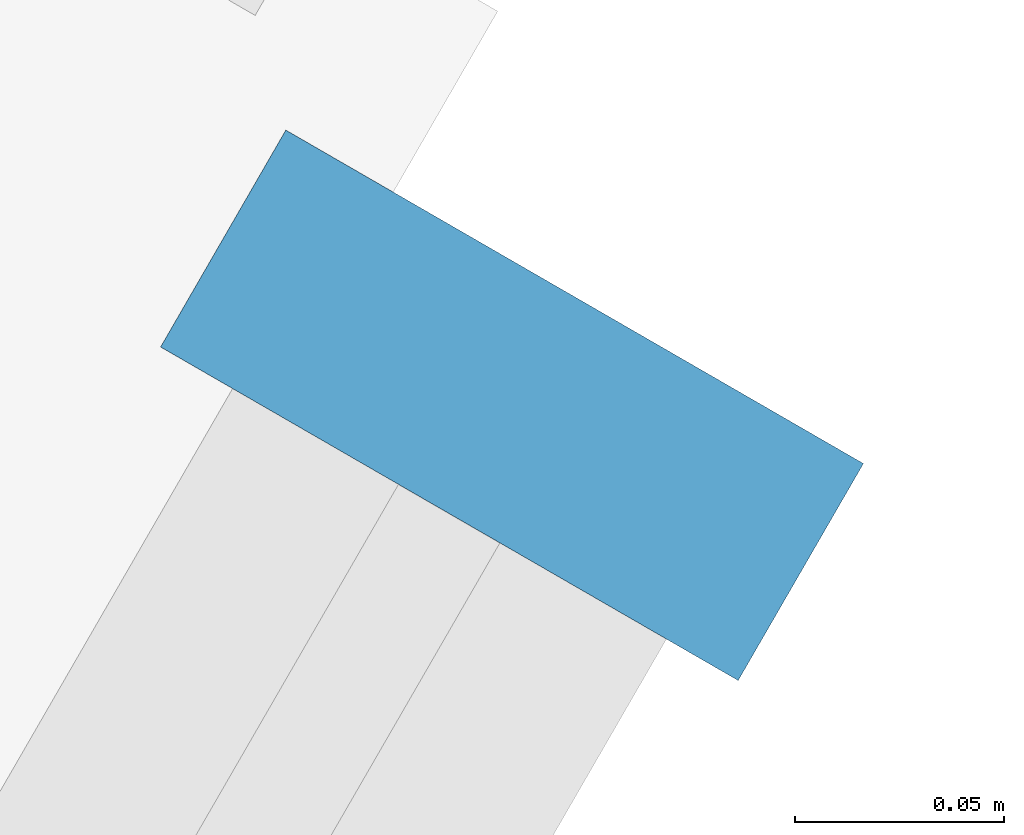
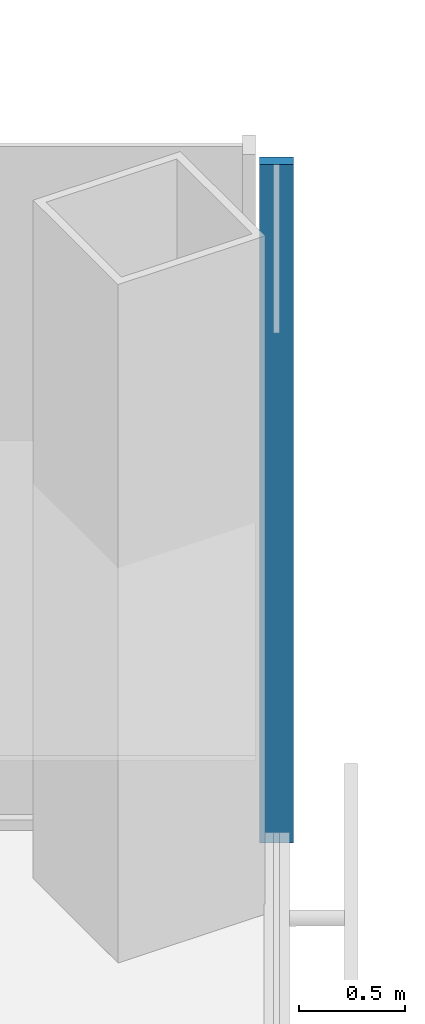
# One storey, part 9 of 18: 1 member, 1 element without a shape of its own.
"""IFC4 building model written with IfcOpenShell, lengths in metres."""

from ifc_helpers import new_model, si_unit, direction, frame, origin, origin_2d, place, context, subcontext, project, spatial, rectangle, extrude, material, material_profile, profile_set, type_object, element, aggregate, save


model = new_model("IFC4")

# Units and contexts
model_context = context("Model", 3, precision=1e-05, world=origin(), true_north=direction((0.0, 1.0)))
body_context = subcontext(model_context, "Body", "Model", "MODEL_VIEW")
ifc_project = project(units=[si_unit("LENGTHUNIT", "METRE"), si_unit("AREAUNIT", "SQUARE_METRE"), si_unit("VOLUMEUNIT", "CUBIC_METRE"), si_unit("PLANEANGLEUNIT", "RADIAN"), si_unit("MASSUNIT", "GRAM", prefix="KILO")], contexts=[model_context])

# Site, building, storey
site_placement = place(None, origin())
site = spatial("IfcSite", under=ifc_project, at=site_placement, CompositionType="ELEMENT")
building_placement = place(site_placement, origin())
building = spatial("IfcBuilding", under=site, at=building_placement, Name="Kasaneha Research Tower", CompositionType="ELEMENT")
storey_placement = place(building_placement, frame((0.0, 0.0, 119.699951171875)))
storey = spatial("IfcBuildingStorey", under=building, at=storey_placement, Name="L30", CompositionType="ELEMENT", Elevation=119.699951171875)

# Curtain wall, member
ifc_material_1 = material(Name="Glass and aluminium", Category="aluminium")
curtain_wall_type = type_object("IfcCurtainWallType", Name="Low-rise office curtain wall", PredefinedType="USERDEFINED", material=ifc_material_1)
curtain_wall_placement = place(storey_placement, origin())
curtain_wall = element("IfcCurtainWall", 1, at=curtain_wall_placement, inside=storey, type_object=curtain_wall_type, Name="CW-O1 L30 run 05a", ObjectType="UNITISED CURTAIN WALL", PredefinedType="USERDEFINED")
ifc_material_2 = material(Name="Aluminium 6063-T6", Category="aluminium")
ifc_material_profile = material_profile(ifc_material_2, rectangle(XDim=0.06005859375, YDim=0.159912109375, at=origin_2d()), Name="CW-O1 mullion 60x160")
ifc_profile_set = profile_set([ifc_material_profile], Name="Aluminium 6063-T6")
member_type = type_object("IfcMemberType", Name="CW-O1 mullion", PredefinedType="MULLION", material=ifc_profile_set)
member_placement = place(storey_placement, frame((32.012939453125, -6.39306640625, 0.0), z_axis=(0.0, 0.0, 1.0), x_axis=(0.500000011442, 0.866025397178, 0.0)))
member = element("IfcMember", 2, at=member_placement, type_object=member_type, Name="CW-O1 mullion 4", PredefinedType="MULLION", context=body_context, shape_type="SweptSolid", body=[
    extrude(rectangle(XDim=0.06005859375, YDim=0.159912109375, at=origin_2d()), origin(), (0.0, 0.0, 1.0), 3.900146484375),
])
aggregate(curtain_wall, [member])

save(model, "model.ifc")
